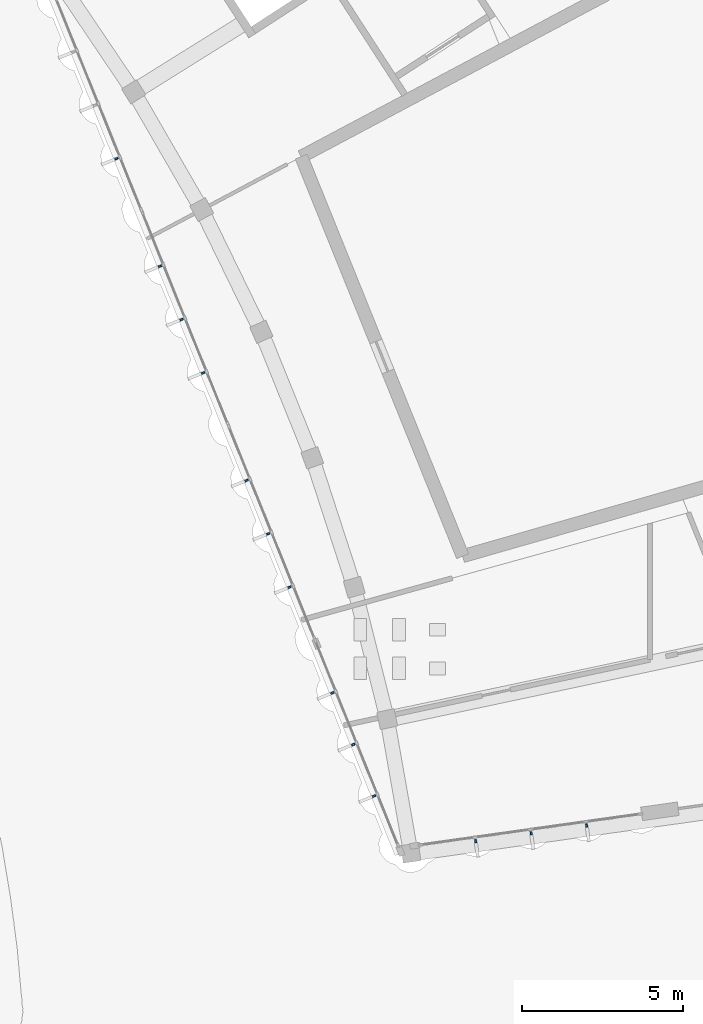
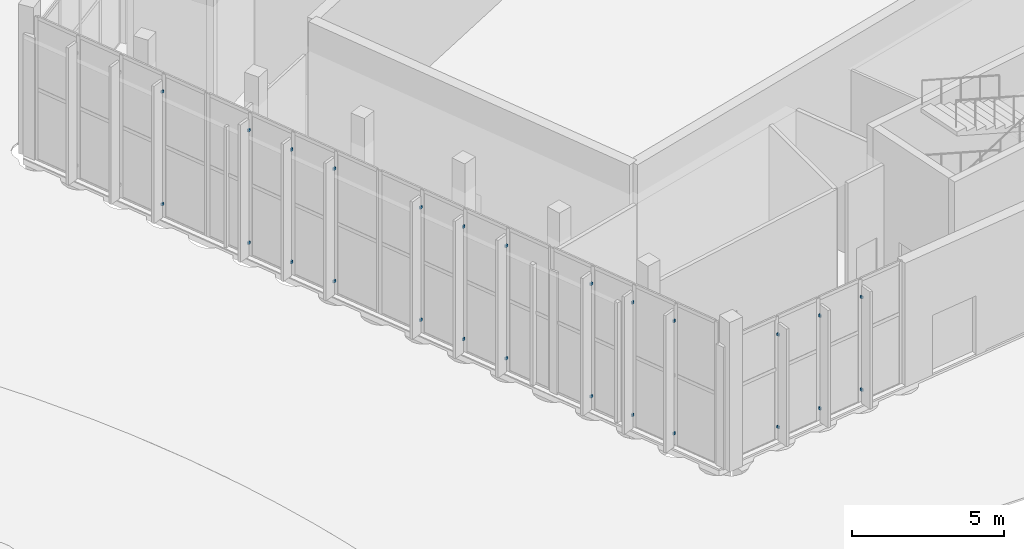
# One storey, part 114 of 155: 26 discrete accessories.
"""IFC4 building model written with IfcOpenShell, lengths in metres."""

from ifc_helpers import new_model, si_unit, direction, frame, origin, origin_2d, place, context, subcontext, project, spatial, rectangle, extrude, material, type_object, element, save


model = new_model("IFC4")

# Units and contexts
model_context = context("Model", 3, precision=1e-05, world=origin(), true_north=direction((0.0, 1.0)))
body_context = subcontext(model_context, "Body", "Model", "MODEL_VIEW")
ifc_project = project(units=[si_unit("LENGTHUNIT", "METRE"), si_unit("AREAUNIT", "SQUARE_METRE"), si_unit("VOLUMEUNIT", "CUBIC_METRE"), si_unit("PLANEANGLEUNIT", "RADIAN"), si_unit("MASSUNIT", "GRAM", prefix="KILO")], contexts=[model_context])

# Site, building, storey
site_placement = place(None, origin())
site = spatial("IfcSite", under=ifc_project, at=site_placement, CompositionType="ELEMENT")
building_placement = place(site_placement, origin())
building = spatial("IfcBuilding", under=site, at=building_placement, Name="Lunette Opera House", CompositionType="ELEMENT")
storey_placement = place(building_placement, origin())
storey = spatial("IfcBuildingStorey", under=building, at=storey_placement, Name="L00", CompositionType="ELEMENT", Elevation=0.0)

# Discrete accessories
ifc_material = material(Name="Galvanised steel", Category="steel")
discrete_accessory_type = type_object("IfcDiscreteAccessoryType", Name="FIN BRACKET STEEL", PredefinedType="BRACKET", material=ifc_material)
for number, where, z_axis, x_axis, name in (
    (1, (146.77197265625, 29.985107421875, 0.56494140625), (0.0, 0.0, 1.0), (-0.927168162269, -0.374645430874, 0.0), "Fin bracket SB-X2001 3 1"),
    (2, (146.77197265625, 29.985107421875, 5.079833984375), (0.0, 0.0, 1.0), (-0.927168162269, -0.374645430874, 0.0), "Fin bracket SB-X2001 3 2"),
    (3, (148.1220703125, 26.64501953125, 0.56494140625), (0.0, 0.0, 1.0), (-0.927187777387, -0.374596883949, 0.0), "Fin bracket SB-X2002 1 1"),
    (4, (148.1220703125, 26.64501953125, 5.079833984375), (0.0, 0.0, 1.0), (-0.927187777387, -0.374596883949, 0.0), "Fin bracket SB-X2002 1 2"),
    (5, (148.791015625, 24.988037109375, 0.56494140625), (0.0, 0.0, 1.0), (-0.927187777387, -0.374596883949, 0.0), "Fin bracket SB-X2002 2 1"),
    (6, (148.791015625, 24.988037109375, 5.079833984375), (0.0, 0.0, 1.0), (-0.927187777387, -0.374596883949, 0.0), "Fin bracket SB-X2002 2 2"),
    (7, (149.4599609375, 23.33203125, 0.56494140625), (0.0, 0.0, 1.0), (-0.927187777387, -0.374596883949, 0.0), "Fin bracket SB-X2002 3 1"),
    (8, (149.4599609375, 23.33203125, 5.079833984375), (0.0, 0.0, 1.0), (-0.927187777387, -0.374596883949, 0.0), "Fin bracket SB-X2002 3 2"),
    (9, (150.81005859375, 19.990966796875, 0.56494140625), (0.0, 0.0, 1.0), (-0.927168162269, -0.374645430874, 0.0), "Fin bracket SB-X2003 1 1"),
    (10, (150.81005859375, 19.990966796875, 5.079833984375), (0.0, 0.0, 1.0), (-0.927168162269, -0.374645430874, 0.0), "Fin bracket SB-X2003 1 2"),
    (11, (151.47900390625, 18.3349609375, 0.56494140625), (0.0, 0.0, 1.0), (-0.927168162269, -0.374645430874, 0.0), "Fin bracket SB-X2003 2 1"),
    (12, (151.47900390625, 18.3349609375, 5.079833984375), (0.0, 0.0, 1.0), (-0.927168162269, -0.374645430874, 0.0), "Fin bracket SB-X2003 2 2"),
    (13, (152.14794921875, 16.677978515625, 0.56494140625), (0.0, 0.0, 1.0), (-0.927168162269, -0.374645430874, 0.0), "Fin bracket SB-X2003 3 1"),
    (14, (152.14794921875, 16.677978515625, 5.079833984375), (0.0, 0.0, 1.0), (-0.927168162269, -0.374645430874, 0.0), "Fin bracket SB-X2003 3 2"),
    (15, (153.47509765625, 13.39306640625, 0.56494140625), (0.0, 0.0, 1.0), (-0.927182546937, -0.374609829896, 0.0), "Fin bracket SB-X2004 1 1"),
    (16, (153.47509765625, 13.39306640625, 5.079833984375), (0.0, 0.0, 1.0), (-0.927182546937, -0.374609829896, 0.0), "Fin bracket SB-X2004 1 2"),
    (17, (154.1220703125, 11.79296875, 0.56494140625), (0.0, 0.0, 1.0), (-0.927182546937, -0.374609829896, 0.0), "Fin bracket SB-X2004 2 1"),
    (18, (154.1220703125, 11.79296875, 5.079833984375), (0.0, 0.0, 1.0), (-0.927182546937, -0.374609829896, 0.0), "Fin bracket SB-X2004 2 2"),
    (19, (154.76904296875, 10.19189453125, 0.56494140625), (0.0, 0.0, 1.0), (-0.927182546937, -0.374609829896, 0.0), "Fin bracket SB-X2004 3 1"),
    (20, (154.76904296875, 10.19189453125, 5.079833984375), (0.0, 0.0, 1.0), (-0.927182546937, -0.374609829896, 0.0), "Fin bracket SB-X2004 3 2"),
    (21, (157.924072265625, 8.79296875, 0.56494140625), (0.0, 0.0, 1.0), (0.139209396087, -0.990262967116, 0.0), "Fin bracket SB-X2005 1 1"),
    (22, (157.924072265625, 8.79296875, 4.280029296875), (0.0, 0.0, 1.0), (0.139209396087, -0.990262967116, 0.0), "Fin bracket SB-X2005 1 2"),
    (23, (159.64697265625, 9.035888671875, 0.56494140625), (0.0, 0.0, 1.0), (0.139209396087, -0.990262967116, 0.0), "Fin bracket SB-X2005 2 1"),
    (24, (159.64697265625, 9.035888671875, 4.280029296875), (0.0, 0.0, 1.0), (0.139209396087, -0.990262967116, 0.0), "Fin bracket SB-X2005 2 2"),
    (25, (161.3701171875, 9.278076171875, 0.56494140625), (0.0, 0.0, 1.0), (0.139209396087, -0.990262967116, 0.0), "Fin bracket SB-X2005 3 1"),
    (26, (161.3701171875, 9.278076171875, 4.280029296875), (0.0, 0.0, 1.0), (0.139209396087, -0.990262967116, 0.0), "Fin bracket SB-X2005 3 2"),
):
    element("IfcDiscreteAccessory", number, at=place(storey_placement, frame(where, z_axis=z_axis, x_axis=x_axis)), inside=storey, type_object=discrete_accessory_type, Name=name, PredefinedType="BRACKET", context=body_context, shape_type="SweptSolid", body=[
        extrude(rectangle(XDim=0.10009765625, YDim=0.06005859375, at=origin_2d()), origin(), (0.0, 0.0, 1.0), 0.10009765625),
    ])

save(model, "model.ifc")
